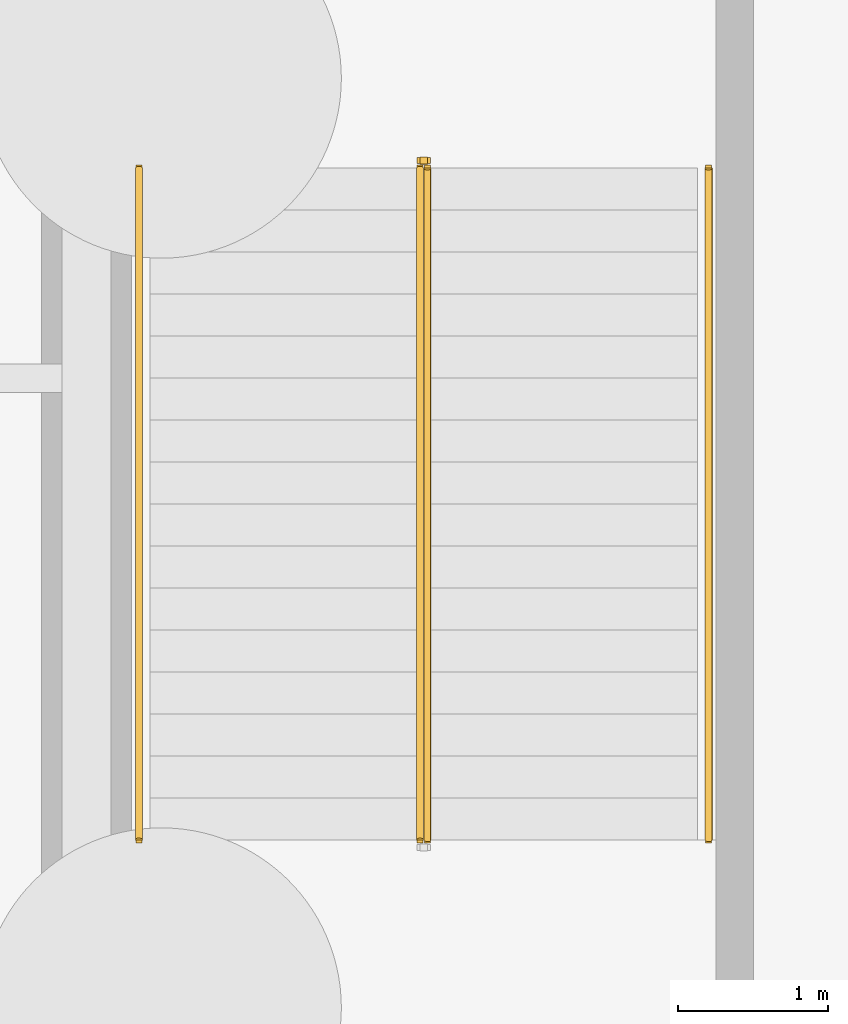
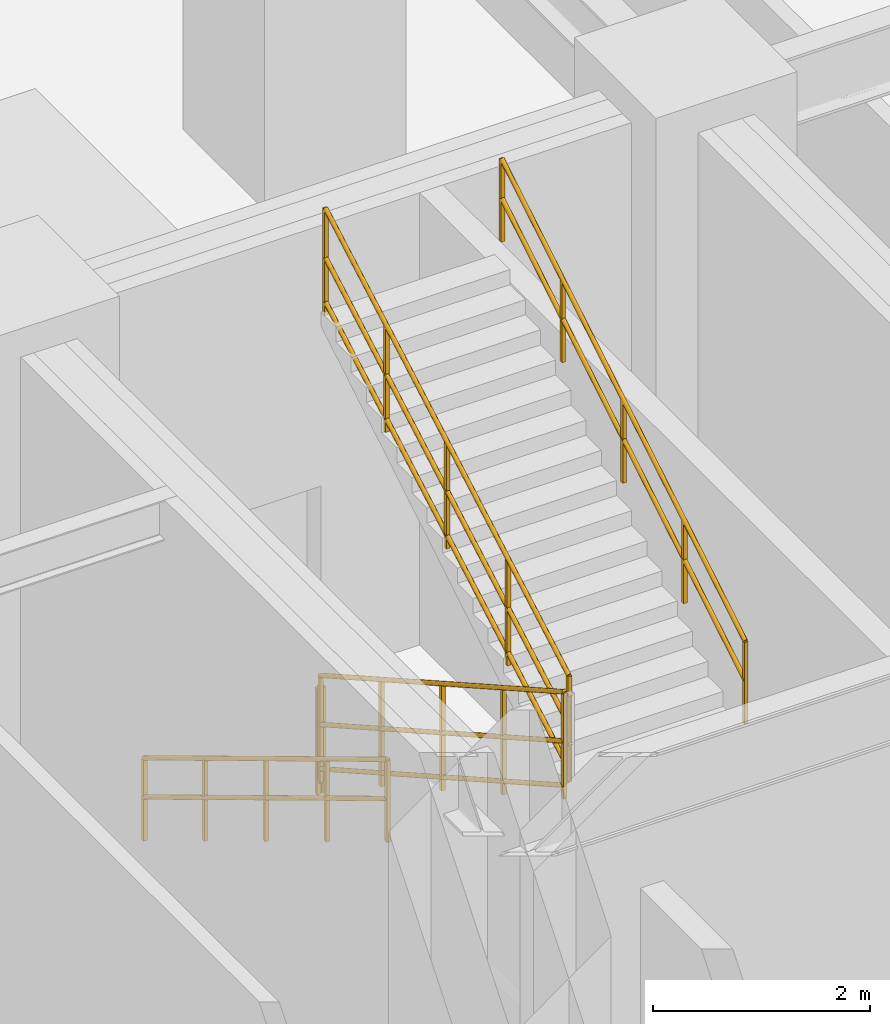
# One storey, part 10 of 11: 5 railings.
"""IFC4 building model written with IfcOpenShell, lengths in metres."""

from ifc_helpers import new_model, entity, si_unit, converted_unit, direction, frame, origin_with_axes, origin_2d_with_axis, place, context, subcontext, project, spatial, rectangle, circle, extrude, material, type_object, element, save


model = new_model("IFC4")

# Units and contexts
model_context = context("Model", 3, precision=1e-05, world=origin_with_axes(), true_north=direction((0.0, 1.0)))
body_context = subcontext(model_context, "Body", "Model", "MODEL_VIEW")
ifc_project = project(units=[si_unit("LENGTHUNIT", "METRE"), si_unit("AREAUNIT", "SQUARE_METRE"), si_unit("VOLUMEUNIT", "CUBIC_METRE"), converted_unit("PLANEANGLEUNIT", "DEGREE", entity("IfcPlaneAngleMeasure", 0.017453292519943295), si_unit("PLANEANGLEUNIT", "RADIAN"), dimensions=[0, 0, 0, 0, 0, 0, 0]), si_unit("MASSUNIT", "GRAM", prefix="KILO"), si_unit("THERMODYNAMICTEMPERATUREUNIT", "KELVIN")], contexts=[model_context])

# Site, building, storey
site_placement = place(None, origin_with_axes())
site = spatial("IfcSite", under=ifc_project, at=site_placement, CompositionType="ELEMENT")
building_placement = place(site_placement, origin_with_axes())
building = spatial("IfcBuilding", under=site, at=building_placement, Name="Varnlund Millrace Tower", CompositionType="ELEMENT")
storey_placement = place(building_placement, frame((0.0, 0.0, -10.2), z_axis=(0.0, 0.0, 1.0), x_axis=(1.0, 0.0, 0.0)))
storey = spatial("IfcBuildingStorey", under=building, at=storey_placement, Name="B2", CompositionType="ELEMENT", Elevation=-10.2)

# Railings
ifc_material_1 = material(Name="Painted steel stair well balustrade guard", Category="steel")
railing_type_1 = type_object("IfcRailingType", Name="Type-StairGuard-1150", PredefinedType="GUARDRAIL", material=ifc_material_1)
railing_1_placement = place(storey_placement, frame((0.0, 0.0, 10.2), z_axis=(0.0, 0.0, 1.0), x_axis=(1.0, 0.0, 0.0)))
element("IfcRailing", 1, at=railing_1_placement, inside=storey, type_object=railing_type_1, Name="Type-StairGuard-1150", PredefinedType="GUARDRAIL", context=body_context, shape_type="SweptSolid", body=[
    extrude(circle(Radius=0.024, at=origin_2d_with_axis()), frame((13.625, 35.9, -8.88125), z_axis=(0.0, -0.87064, 0.491921), x_axis=(1.0, 0.0, 0.0)), (0.0, 0.0, 1.0), 5.145642),
    extrude(circle(Radius=0.024, at=origin_2d_with_axis()), frame((13.625, 35.9, -9.93125), z_axis=(0.0, -0.87064, 0.491921), x_axis=(1.0, 0.0, 0.0)), (0.0, 0.0, 1.0), 5.145642),
    extrude(circle(Radius=0.024, at=origin_2d_with_axis()), frame((13.625, 35.9, -9.43325), z_axis=(0.0, -0.87064, 0.491921), x_axis=(1.0, 0.0, 0.0)), (0.0, 0.0, 1.0), 5.145642),
    extrude(rectangle(XDim=0.04, YDim=0.04, at=origin_2d_with_axis()), frame((13.625, 35.9, -10.07125), z_axis=(0.0, 0.0, 1.0), x_axis=(1.0, 0.0, 0.0)), (0.0, 0.0, 1.0), 1.19),
    extrude(rectangle(XDim=0.04, YDim=0.04, at=origin_2d_with_axis()), frame((13.625, 34.78, -9.438438), z_axis=(0.0, 0.0, 1.0), x_axis=(1.0, 0.0, 0.0)), (0.0, 0.0, 1.0), 1.19),
    extrude(rectangle(XDim=0.04, YDim=0.04, at=origin_2d_with_axis()), frame((13.625, 33.66, -8.805625), z_axis=(0.0, 0.0, 1.0), x_axis=(1.0, 0.0, 0.0)), (0.0, 0.0, 1.0), 1.19),
    extrude(rectangle(XDim=0.04, YDim=0.04, at=origin_2d_with_axis()), frame((13.625, 32.54, -8.172812), z_axis=(0.0, 0.0, 1.0), x_axis=(1.0, 0.0, 0.0)), (0.0, 0.0, 1.0), 1.19),
    extrude(rectangle(XDim=0.04, YDim=0.04, at=origin_2d_with_axis()), frame((13.625, 31.42, -7.54), z_axis=(0.0, 0.0, 1.0), x_axis=(1.0, 0.0, 0.0)), (0.0, 0.0, 1.0), 1.19),
])
railing_2_placement = place(storey_placement, frame((0.0, 0.0, 10.2), z_axis=(0.0, 0.0, 1.0), x_axis=(1.0, 0.0, 0.0)))
element("IfcRailing", 2, at=railing_2_placement, inside=storey, type_object=railing_type_1, Name="Type-StairGuard-1150", PredefinedType="GUARDRAIL", context=body_context, shape_type="SweptSolid", body=[
    extrude(circle(Radius=0.024, at=origin_2d_with_axis()), frame((13.675, 31.42, -6.18125), z_axis=(0.0, 0.87064, 0.491921), x_axis=(-1.0, 0.0, 0.0)), (0.0, 0.0, 1.0), 5.145642),
    extrude(circle(Radius=0.024, at=origin_2d_with_axis()), frame((13.675, 31.42, -7.23125), z_axis=(0.0, 0.87064, 0.491921), x_axis=(-1.0, 0.0, 0.0)), (0.0, 0.0, 1.0), 5.145642),
    extrude(circle(Radius=0.024, at=origin_2d_with_axis()), frame((13.675, 31.42, -6.73325), z_axis=(0.0, 0.87064, 0.491921), x_axis=(-1.0, 0.0, 0.0)), (0.0, 0.0, 1.0), 5.145642),
    extrude(rectangle(XDim=0.04, YDim=0.04, at=origin_2d_with_axis()), frame((13.675, 31.42, -7.37125), z_axis=(0.0, 0.0, 1.0), x_axis=(1.0, 0.0, 0.0)), (0.0, 0.0, 1.0), 1.19),
    extrude(rectangle(XDim=0.04, YDim=0.04, at=origin_2d_with_axis()), frame((13.675, 32.54, -6.738438), z_axis=(0.0, 0.0, 1.0), x_axis=(1.0, 0.0, 0.0)), (0.0, 0.0, 1.0), 1.19),
    extrude(rectangle(XDim=0.04, YDim=0.04, at=origin_2d_with_axis()), frame((13.675, 33.66, -6.105625), z_axis=(0.0, 0.0, 1.0), x_axis=(1.0, 0.0, 0.0)), (0.0, 0.0, 1.0), 1.19),
    extrude(rectangle(XDim=0.04, YDim=0.04, at=origin_2d_with_axis()), frame((13.675, 34.78, -5.472812), z_axis=(0.0, 0.0, 1.0), x_axis=(1.0, 0.0, 0.0)), (0.0, 0.0, 1.0), 1.19),
    extrude(rectangle(XDim=0.04, YDim=0.04, at=origin_2d_with_axis()), frame((13.675, 35.9, -4.84), z_axis=(0.0, 0.0, 1.0), x_axis=(1.0, 0.0, 0.0)), (0.0, 0.0, 1.0), 1.19),
])
railing_3_placement = place(storey_placement, frame((0.0, 0.0, 10.2), z_axis=(0.0, 0.0, 1.0), x_axis=(1.0, 0.0, 0.0)))
element("IfcRailing", 3, at=railing_3_placement, inside=storey, type_object=railing_type_1, Name="Type-StairGuard-1150", PredefinedType="GUARDRAIL", context=body_context, shape_type="SweptSolid", body=[
    extrude(circle(Radius=0.024, at=origin_2d_with_axis()), frame((13.675, 35.95, -9.05), z_axis=(-1.0, 0.0, 0.0), x_axis=(0.0, -1.0, 0.0)), (0.0, 0.0, 1.0), 0.05),
    extrude(circle(Radius=0.024, at=origin_2d_with_axis()), frame((13.675, 35.95, -10.1), z_axis=(-1.0, 0.0, 0.0), x_axis=(0.0, -1.0, 0.0)), (0.0, 0.0, 1.0), 0.05),
    extrude(circle(Radius=0.024, at=origin_2d_with_axis()), frame((13.675, 35.95, -9.602), z_axis=(-1.0, 0.0, 0.0), x_axis=(0.0, -1.0, 0.0)), (0.0, 0.0, 1.0), 0.05),
    extrude(rectangle(XDim=0.04, YDim=0.04, at=origin_2d_with_axis()), frame((13.675, 35.95, -10.24), z_axis=(0.0, 0.0, 1.0), x_axis=(1.0, 0.0, 0.0)), (0.0, 0.0, 1.0), 1.19),
    extrude(rectangle(XDim=0.04, YDim=0.04, at=origin_2d_with_axis()), frame((13.625, 35.95, -10.24), z_axis=(0.0, 0.0, 1.0), x_axis=(1.0, 0.0, 0.0)), (0.0, 0.0, 1.0), 1.19),
])
ifc_material_2 = material(Name="Brushed architectural bronze stair handrail", Category="aluminium")
railing_type_2 = type_object("IfcRailingType", Name="Type-StairHandrail-900", PredefinedType="HANDRAIL", material=ifc_material_2)
railing_4_placement = place(storey_placement, frame((0.0, 0.0, 10.2), z_axis=(0.0, 0.0, 1.0), x_axis=(1.0, 0.0, 0.0)))
element("IfcRailing", 4, at=railing_4_placement, inside=storey, type_object=railing_type_2, Name="Type-StairHandrail-900", PredefinedType="HANDRAIL", context=body_context, shape_type="SweptSolid", body=[
    extrude(circle(Radius=0.024, at=origin_2d_with_axis()), frame((11.75, 35.9, -9.151805), z_axis=(0.0, -0.856479, 0.516182), x_axis=(1.0, 0.0, 0.0)), (0.0, 0.0, 1.0), 5.230717),
    extrude(circle(Radius=0.024, at=origin_2d_with_axis()), frame((11.75, 35.9, -9.591528), z_axis=(0.0, -0.856479, 0.516182), x_axis=(1.0, 0.0, 0.0)), (0.0, 0.0, 1.0), 5.230717),
    extrude(rectangle(XDim=0.04, YDim=0.04, at=origin_2d_with_axis()), frame((11.75, 35.9, -10.07125), z_axis=(0.0, 0.0, 1.0), x_axis=(1.0, 0.0, 0.0)), (0.0, 0.0, 1.0), 0.919445),
    extrude(rectangle(XDim=0.04, YDim=0.04, at=origin_2d_with_axis()), frame((11.75, 34.78, -9.39625), z_axis=(0.0, 0.0, 1.0), x_axis=(1.0, 0.0, 0.0)), (0.0, 0.0, 1.0), 0.919445),
    extrude(rectangle(XDim=0.04, YDim=0.04, at=origin_2d_with_axis()), frame((11.75, 33.66, -8.72125), z_axis=(0.0, 0.0, 1.0), x_axis=(1.0, 0.0, 0.0)), (0.0, 0.0, 1.0), 0.919445),
    extrude(rectangle(XDim=0.04, YDim=0.04, at=origin_2d_with_axis()), frame((11.75, 32.54, -8.04625), z_axis=(0.0, 0.0, 1.0), x_axis=(1.0, 0.0, 0.0)), (0.0, 0.0, 1.0), 0.919445),
    extrude(rectangle(XDim=0.04, YDim=0.04, at=origin_2d_with_axis()), frame((11.75, 31.42, -7.37125), z_axis=(0.0, 0.0, 1.0), x_axis=(1.0, 0.0, 0.0)), (0.0, 0.0, 1.0), 0.919445),
])
railing_5_placement = place(storey_placement, frame((0.0, 0.0, 10.2), z_axis=(0.0, 0.0, 1.0), x_axis=(1.0, 0.0, 0.0)))
element("IfcRailing", 5, at=railing_5_placement, inside=storey, type_object=railing_type_2, Name="Type-StairHandrail-900", PredefinedType="HANDRAIL", context=body_context, shape_type="SweptSolid", body=[
    extrude(circle(Radius=0.024, at=origin_2d_with_axis()), frame((15.55, 31.42, -6.451805), z_axis=(0.0, 0.856479, 0.516182), x_axis=(-1.0, 0.0, 0.0)), (0.0, 0.0, 1.0), 5.230717),
    extrude(circle(Radius=0.024, at=origin_2d_with_axis()), frame((15.55, 31.42, -6.891528), z_axis=(0.0, 0.856479, 0.516182), x_axis=(-1.0, 0.0, 0.0)), (0.0, 0.0, 1.0), 5.230717),
    extrude(rectangle(XDim=0.04, YDim=0.04, at=origin_2d_with_axis()), frame((15.55, 31.42, -7.37125), z_axis=(0.0, 0.0, 1.0), x_axis=(1.0, 0.0, 0.0)), (0.0, 0.0, 1.0), 0.919445),
    extrude(rectangle(XDim=0.04, YDim=0.04, at=origin_2d_with_axis()), frame((15.55, 32.54, -6.69625), z_axis=(0.0, 0.0, 1.0), x_axis=(1.0, 0.0, 0.0)), (0.0, 0.0, 1.0), 0.919445),
    extrude(rectangle(XDim=0.04, YDim=0.04, at=origin_2d_with_axis()), frame((15.55, 33.66, -6.02125), z_axis=(0.0, 0.0, 1.0), x_axis=(1.0, 0.0, 0.0)), (0.0, 0.0, 1.0), 0.919445),
    extrude(rectangle(XDim=0.04, YDim=0.04, at=origin_2d_with_axis()), frame((15.55, 34.78, -5.34625), z_axis=(0.0, 0.0, 1.0), x_axis=(1.0, 0.0, 0.0)), (0.0, 0.0, 1.0), 0.919445),
    extrude(rectangle(XDim=0.04, YDim=0.04, at=origin_2d_with_axis()), frame((15.55, 35.9, -4.67125), z_axis=(0.0, 0.0, 1.0), x_axis=(1.0, 0.0, 0.0)), (0.0, 0.0, 1.0), 0.919445),
])

save(model, "model.ifc")
